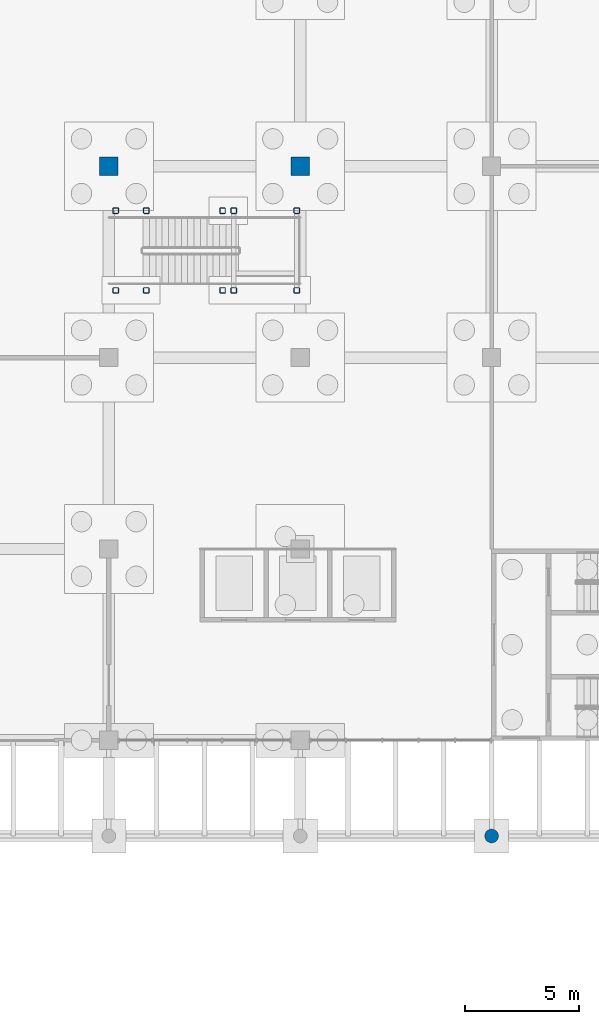
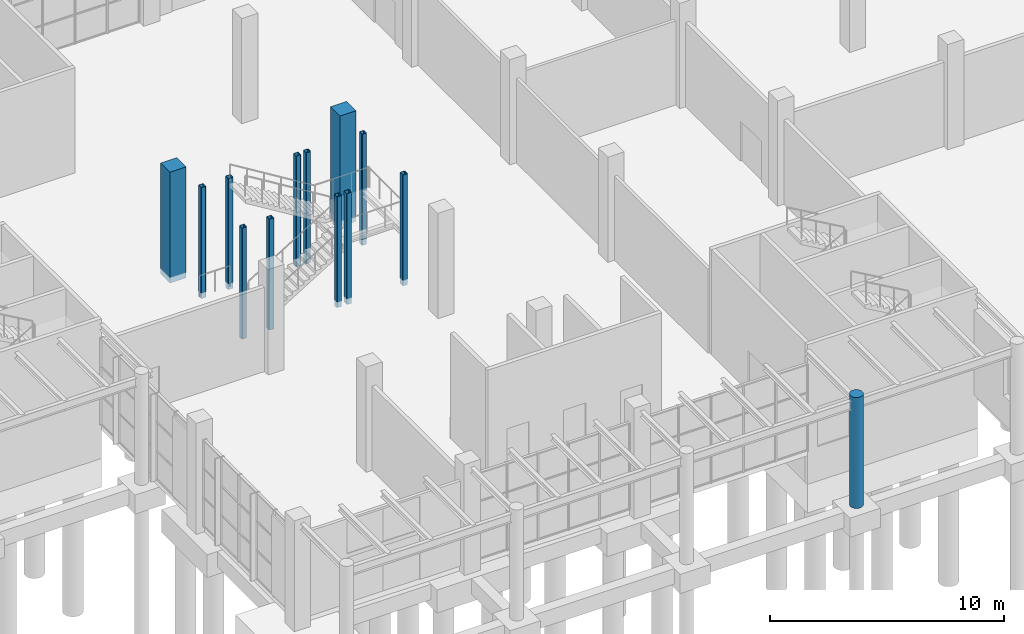
# One storey, part 7 of 82: 13 columns.
"""IFC4 building model written with IfcOpenShell, lengths in metres."""

from ifc_helpers import new_model, si_unit, direction, frame, origin, origin_2d, place, context, subcontext, project, spatial, rectangle, hollow_rectangle, circle, extrude, material, material_profile, profile_set, type_object, element, save


model = new_model("IFC4")

# Units and contexts
model_context = context("Model", 3, precision=1e-05, world=origin(), true_north=direction((0.0, 1.0)))
body_context = subcontext(model_context, "Body", "Model", "MODEL_VIEW")
ifc_project = project(units=[si_unit("LENGTHUNIT", "METRE"), si_unit("AREAUNIT", "SQUARE_METRE"), si_unit("VOLUMEUNIT", "CUBIC_METRE"), si_unit("PLANEANGLEUNIT", "RADIAN"), si_unit("MASSUNIT", "GRAM", prefix="KILO")], contexts=[model_context])

# Site, building, storey
site_placement = place(None, origin())
site = spatial("IfcSite", under=ifc_project, at=site_placement, CompositionType="ELEMENT")
building_placement = place(site_placement, origin())
building = spatial("IfcBuilding", under=site, at=building_placement, Name="Almond Square Museum", CompositionType="ELEMENT")
storey_placement = place(building_placement, origin())
storey = spatial("IfcBuildingStorey", under=building, at=storey_placement, Name="L00", CompositionType="ELEMENT", Elevation=0.0)

# Columns
ifc_material_1 = material(Name="Structural steel S355", Category="steel")
ifc_material_profile_1 = material_profile(ifc_material_1, hollow_rectangle(XDim=0.25, YDim=0.25, WallThickness=0.012451171875, InnerFilletRadius=0.02490234375, OuterFilletRadius=0.03759765625, at=origin_2d()))
ifc_profile_set_1 = profile_set([ifc_material_profile_1], Name="Structural steel S355")
column_type_1 = type_object("IfcColumnType", Name="Feature stair column SHS 250x250x12.5", PredefinedType="COLUMN", material=ifc_profile_set_1)
for number, where, z_axis, x_axis, name in (
    (1, (81.89990234375, 86.949951171875, -0.300048828125), (0.0, 0.0, 1.0), (1.0, 0.0, 0.0), "L00 atrium feature stair support column"),
    (2, (81.89990234375, 90.449951171875, -0.300048828125), (0.0, 0.0, 1.0), (1.0, 0.0, 0.0), "L00 atrium feature stair support column"),
    (3, (83.2451171875, 86.949951171875, -0.300048828125), (0.0, 0.0, 1.0), (1.0, 0.0, 0.0), "L00 atrium feature stair support column"),
    (4, (83.2451171875, 90.449951171875, -0.300048828125), (0.0, 0.0, 1.0), (1.0, 0.0, 0.0), "L00 atrium feature stair support column"),
    (5, (86.594970703125, 86.949951171875, -0.300048828125), (0.0, 0.0, 1.0), (1.0, 0.0, 0.0), "L00 atrium feature stair support column"),
    (6, (86.594970703125, 90.449951171875, -0.300048828125), (0.0, 0.0, 1.0), (1.0, 0.0, 0.0), "L00 atrium feature stair support column"),
    (7, (87.0849609375, 86.949951171875, -0.300048828125), (0.0, 0.0, 1.0), (1.0, 0.0, 0.0), "L00 atrium feature stair support column"),
    (8, (87.0849609375, 90.449951171875, -0.300048828125), (0.0, 0.0, 1.0), (1.0, 0.0, 0.0), "L00 atrium feature stair support column"),
    (9, (89.85009765625, 86.949951171875, -0.300048828125), (0.0, 0.0, 1.0), (1.0, 0.0, 0.0), "L00 atrium feature stair support column"),
    (10, (89.85009765625, 90.449951171875, -0.300048828125), (0.0, 0.0, 1.0), (1.0, 0.0, 0.0), "L00 atrium feature stair support column"),
):
    element("IfcColumn", number, at=place(storey_placement, frame(where, z_axis=z_axis, x_axis=x_axis)), inside=storey, type_object=column_type_1, Name=name, PredefinedType="COLUMN", context=body_context, shape_type="SweptSolid", body=[
        extrude(hollow_rectangle(XDim=0.25, YDim=0.25, WallThickness=0.012451171875, InnerFilletRadius=0.02490234375, OuterFilletRadius=0.03759765625, at=origin_2d()), origin(), (0.0, 0.0, 1.0), 5.800048828125),
    ])
ifc_material_2 = material(Name="Concrete C40/50", Category="concrete")
ifc_material_profile_2 = material_profile(ifc_material_2, rectangle(XDim=0.800048828125, YDim=0.800048828125, at=origin_2d()))
ifc_profile_set_2 = profile_set([ifc_material_profile_2], Name="Concrete C40/50")
column_type_2 = type_object("IfcColumnType", Name="RC column 800 x 800 C40/50", PredefinedType="COLUMN", material=ifc_profile_set_2)
for number, where, z_axis, x_axis, name in (
    (11, (81.60009765625, 92.39990234375, -0.300048828125), (0.0, 0.0, 1.0), (1.0, 0.0, 0.0), "Column 11-L L00"),
    (12, (90.0, 92.39990234375, -0.300048828125), (0.0, 0.0, 1.0), (1.0, 0.0, 0.0), "Column 12-L L00"),
):
    element("IfcColumn", number, at=place(storey_placement, frame(where, z_axis=z_axis, x_axis=x_axis)), inside=storey, type_object=column_type_2, Name=name, PredefinedType="COLUMN", context=body_context, shape_type="SweptSolid", body=[
        extrude(rectangle(XDim=0.800048828125, YDim=0.800048828125, at=origin_2d()), origin(), (0.0, 0.0, 1.0), 5.800048828125),
    ])
ifc_material_3 = material(Name="Concrete C40/50", Category="concrete")
ifc_material_profile_3 = material_profile(ifc_material_3, circle(Radius=0.300048828125, at=origin_2d()))
ifc_profile_set_3 = profile_set([ifc_material_profile_3], Name="Concrete C40/50")
column_type_3 = type_object("IfcColumnType", Name="RC round column D600 C40/50", PredefinedType="COLUMN", material=ifc_profile_set_3)
column_placement = place(storey_placement, frame((98.39990234375, 63.0, -0.300048828125), z_axis=(0.0, 0.0, 1.0), x_axis=(1.0, 0.0, 0.0)))
element("IfcColumn", 13, at=column_placement, inside=storey, type_object=column_type_3, Name="Loggia column COL-L00-LG-V2-30", PredefinedType="COLUMN", context=body_context, shape_type="SweptSolid", body=[
    extrude(circle(Radius=0.300048828125, at=origin_2d()), origin(), (0.0, 0.0, 1.0), 5.800048828125),
])

save(model, "model.ifc")
